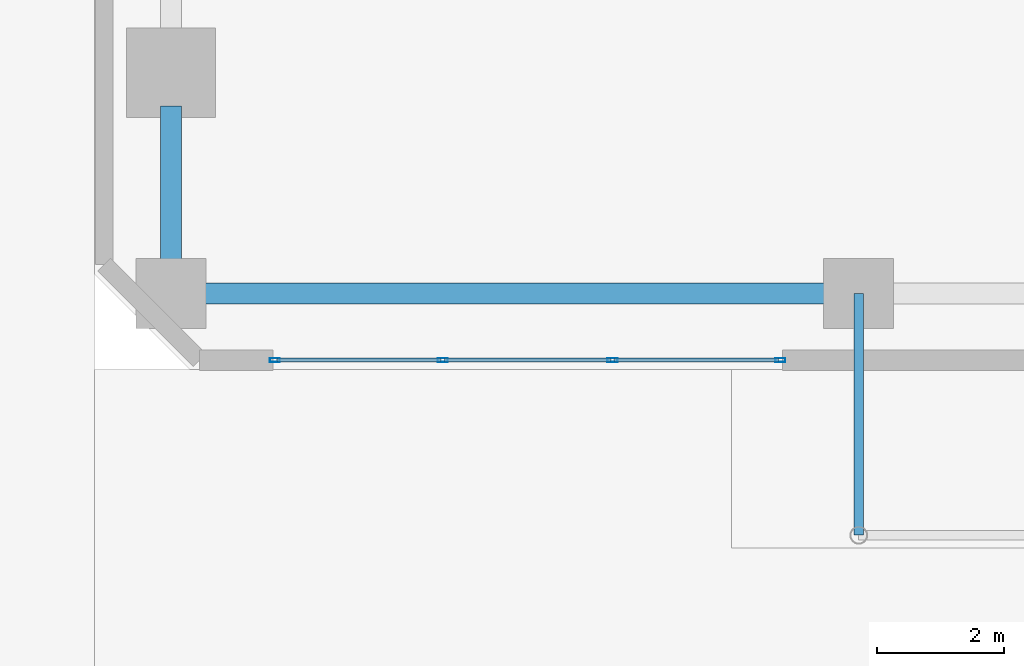
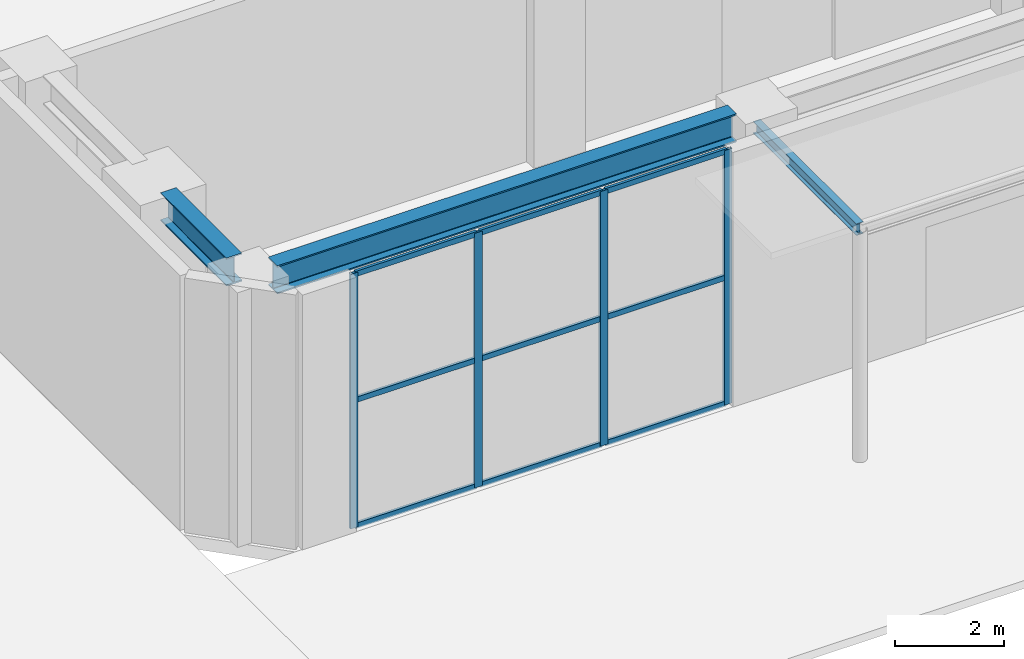
# One storey, part 11 of 49: 13 members, 3 beams, 1 element without a shape of its own.
"""IFC4 building model written with IfcOpenShell, lengths in metres."""

from ifc_helpers import new_model, si_unit, direction, frame, origin, origin_2d, place, context, subcontext, project, spatial, hollow_rectangle, i_section, extrude, material, layer, layer_set, material_profile, profile_set, type_object, element, aggregate, save


model = new_model("IFC4")

# Units and contexts
model_context = context("Model", 3, precision=1e-05, world=origin(), true_north=direction((0.0, 1.0)))
body_context = subcontext(model_context, "Body", "Model", "MODEL_VIEW")
ifc_project = project(units=[si_unit("LENGTHUNIT", "METRE"), si_unit("AREAUNIT", "SQUARE_METRE"), si_unit("VOLUMEUNIT", "CUBIC_METRE"), si_unit("PLANEANGLEUNIT", "RADIAN"), si_unit("MASSUNIT", "GRAM", prefix="KILO")], contexts=[model_context])

# Site, building, storey
site_placement = place(None, origin())
site = spatial("IfcSite", under=ifc_project, at=site_placement, CompositionType="ELEMENT")
building_placement = place(site_placement, origin())
building = spatial("IfcBuilding", under=site, at=building_placement, Name="Sarneth Arch Tower", CompositionType="ELEMENT")
storey_placement = place(building_placement, origin())
storey = spatial("IfcBuildingStorey", under=building, at=storey_placement, Name="L00", CompositionType="ELEMENT", Elevation=0.0)

# Beams
ifc_material_1 = material(Name="Steel S355", Category="steel")
ifc_material_profile_1 = material_profile(ifc_material_1, i_section(OverallWidth=0.14794921875, OverallDepth=0.26611328125, WebThickness=0.007568359375, FlangeThickness=0.012939453125, FilletRadius=0.012939453125, at=origin_2d()), Name="W250x44.8")
ifc_profile_set_1 = profile_set([ifc_material_profile_1], Name="Steel S355")
beam_type_1 = type_object("IfcBeamType", Name="BM-JOIST-250", PredefinedType="JOIST", material=ifc_profile_set_1)
beam_1_placement = place(storey_placement, frame((20.0, 9.199951171875, 5.159912109375), z_axis=(0.0, -1.0, 0.0), x_axis=(1.0, 0.0, 0.0)))
element("IfcBeam", 1, at=beam_1_placement, inside=storey, type_object=beam_type_1, Name="Entrance canopy outrigger beam SOUTH-W.1", PredefinedType="JOIST", context=body_context, shape_type="SweptSolid", body=[
    extrude(i_section(OverallWidth=0.14794921875, OverallDepth=0.26611328125, WebThickness=0.007568359375, FlangeThickness=0.012939453125, FilletRadius=0.012939453125, at=origin_2d()), origin(), (0.0, 0.0, 1.0), 3.800048828125),
])
ifc_material_2 = material(Name="Steel S355", Category="steel")
ifc_material_profile_2 = material_profile(ifc_material_2, i_section(OverallWidth=0.3291015625, OverallDepth=0.635009765625, WebThickness=0.017822265625, FlangeThickness=0.031005859375, FilletRadius=0.01904296875, at=origin_2d()), Name="W610x241")
ifc_profile_set_2 = profile_set([ifc_material_profile_2], Name="Steel S355")
beam_type_2 = type_object("IfcBeamType", Name="BM-POD-610", PredefinedType="BEAM", material=ifc_profile_set_2)
beam_2_placement = place(storey_placement, frame((9.719970703125, 9.199951171875, 5.402587890625), z_axis=(1.0, 0.0, 0.0), x_axis=(0.0, 1.0, 0.0)))
element("IfcBeam", 2, at=beam_2_placement, inside=storey, type_object=beam_type_2, Name="L00 Podium PS girder 1", PredefinedType="BEAM", context=body_context, shape_type="SweptSolid", body=[
    extrude(i_section(OverallWidth=0.3291015625, OverallDepth=0.635009765625, WebThickness=0.017822265625, FlangeThickness=0.031005859375, FilletRadius=0.01904296875, at=origin_2d()), origin(), (0.0, 0.0, 1.0), 9.760009765625),
])
beam_3_placement = place(storey_placement, frame((9.199951171875, 9.719970703125, 5.402587890625), z_axis=(0.0, 1.0, 0.0), x_axis=(-1.0, 0.0, 0.0)))
element("IfcBeam", 3, at=beam_3_placement, inside=storey, type_object=beam_type_2, Name="L00 Podium PW girder 1", PredefinedType="BEAM", context=body_context, shape_type="SweptSolid", body=[
    extrude(i_section(OverallWidth=0.3291015625, OverallDepth=0.635009765625, WebThickness=0.017822265625, FlangeThickness=0.031005859375, FilletRadius=0.01904296875, at=origin_2d()), origin(), (0.0, 0.0, 1.0), 2.42333984375),
])

# Curtain wall, members
ifc_material_3 = material(Name="Anodised aluminium Type AA25 and solar-control low-e laminated IGU", Category="aluminium")
ifc_layer = layer(ifc_material_3, 0.199951171875)
ifc_layer_set = layer_set([ifc_layer], Name="Anodised aluminium Type AA25 and solar-control low-e laminated IGU")
curtain_wall_type = type_object("IfcCurtainWallType", Name="CW-ARCH-GLAZE", PredefinedType="NOTDEFINED", material=ifc_layer_set)
curtain_wall_placement = place(storey_placement, origin())
curtain_wall = element("IfcCurtainWall", 4, at=curtain_wall_placement, inside=storey, type_object=curtain_wall_type, Name="L00 Podium bay curtain wall SW", PredefinedType="NOTDEFINED")
ifc_material_4 = material(Name="Anodised Aluminium 6063-T6", Category="aluminium")
ifc_material_profile_3 = material_profile(ifc_material_4, hollow_rectangle(XDim=0.06005859375, YDim=0.159912109375, WallThickness=0.00390625, at=origin_2d()), Name="AL-MULL-160x60x4")
ifc_profile_set_3 = profile_set([ifc_material_profile_3], Name="Anodised Aluminium 6063-T6")
member_type_1 = type_object("IfcMemberType", Name="CW-MULLION", PredefinedType="MULLION", material=ifc_profile_set_3)
member_1_placement = place(storey_placement, frame((10.830078125, 8.14990234375, 0.0), z_axis=(0.0, 0.0, 1.0), x_axis=(0.0, 1.0, 0.0)))
member_1 = element("IfcMember", 5, at=member_1_placement, type_object=member_type_1, Name="CW-SYS-2 mullion 1", PredefinedType="MULLION", context=body_context, shape_type="SweptSolid", body=[
    extrude(hollow_rectangle(XDim=0.06005859375, YDim=0.159912109375, WallThickness=0.00390625, at=origin_2d()), origin(), (0.0, 0.0, 1.0), 5.719970703125),
])
member_2_placement = place(storey_placement, frame((13.466552734375, 8.14990234375, 0.0), z_axis=(0.0, 0.0, 1.0), x_axis=(0.0, 1.0, 0.0)))
member_2 = element("IfcMember", 6, at=member_2_placement, type_object=member_type_1, Name="CW-SYS-2 mullion 2", PredefinedType="MULLION", context=body_context, shape_type="SweptSolid", body=[
    extrude(hollow_rectangle(XDim=0.06005859375, YDim=0.159912109375, WallThickness=0.00390625, at=origin_2d()), origin(), (0.0, 0.0, 1.0), 5.719970703125),
])
member_3_placement = place(storey_placement, frame((16.13330078125, 8.14990234375, 0.0), z_axis=(0.0, 0.0, 1.0), x_axis=(0.0, 1.0, 0.0)))
member_3 = element("IfcMember", 7, at=member_3_placement, type_object=member_type_1, Name="CW-SYS-2 mullion 3", PredefinedType="MULLION", context=body_context, shape_type="SweptSolid", body=[
    extrude(hollow_rectangle(XDim=0.06005859375, YDim=0.159912109375, WallThickness=0.00390625, at=origin_2d()), origin(), (0.0, 0.0, 1.0), 5.719970703125),
])
member_4_placement = place(storey_placement, frame((18.77001953125, 8.14990234375, 0.0), z_axis=(0.0, 0.0, 1.0), x_axis=(0.0, 1.0, 0.0)))
member_4 = element("IfcMember", 8, at=member_4_placement, type_object=member_type_1, Name="CW-SYS-2 mullion 4", PredefinedType="MULLION", context=body_context, shape_type="SweptSolid", body=[
    extrude(hollow_rectangle(XDim=0.06005859375, YDim=0.159912109375, WallThickness=0.00390625, at=origin_2d()), origin(), (0.0, 0.0, 1.0), 5.719970703125),
])
ifc_material_5 = material(Name="Anodised Aluminium 6063-T6", Category="aluminium")
ifc_material_profile_4 = material_profile(ifc_material_5, hollow_rectangle(XDim=0.06005859375, YDim=0.1201171875, WallThickness=0.00390625, at=origin_2d()), Name="AL-TRAN-120x60x4")
ifc_profile_set_4 = profile_set([ifc_material_profile_4], Name="Anodised Aluminium 6063-T6")
member_type_2 = type_object("IfcMemberType", Name="CW-TRANSOM", PredefinedType="USERDEFINED", material=ifc_profile_set_4)
member_5_placement = place(storey_placement, frame((10.860107421875, 8.14990234375, 0.030029296875), z_axis=(1.0, 0.0, 0.0), x_axis=(0.0, 1.0, 0.0)))
member_5 = element("IfcMember", 9, at=member_5_placement, type_object=member_type_2, Name="CW-SYS-2 transom 1.1", ObjectType="TRANSOM", PredefinedType="USERDEFINED", context=body_context, shape_type="SweptSolid", body=[
    extrude(hollow_rectangle(XDim=0.06005859375, YDim=0.1201171875, WallThickness=0.00390625, at=origin_2d()), origin(), (0.0, 0.0, 1.0), 2.57666015625),
])
member_6_placement = place(storey_placement, frame((10.860107421875, 8.14990234375, 2.860107421875), z_axis=(1.0, 0.0, 0.0), x_axis=(0.0, 1.0, 0.0)))
member_6 = element("IfcMember", 10, at=member_6_placement, type_object=member_type_2, Name="CW-SYS-2 transom 1.2", ObjectType="TRANSOM", PredefinedType="USERDEFINED", context=body_context, shape_type="SweptSolid", body=[
    extrude(hollow_rectangle(XDim=0.06005859375, YDim=0.1201171875, WallThickness=0.00390625, at=origin_2d()), origin(), (0.0, 0.0, 1.0), 2.57666015625),
])
member_7_placement = place(storey_placement, frame((10.860107421875, 8.14990234375, 5.68994140625), z_axis=(1.0, 0.0, 0.0), x_axis=(0.0, 1.0, 0.0)))
member_7 = element("IfcMember", 11, at=member_7_placement, type_object=member_type_2, Name="CW-SYS-2 transom 1.3", ObjectType="TRANSOM", PredefinedType="USERDEFINED", context=body_context, shape_type="SweptSolid", body=[
    extrude(hollow_rectangle(XDim=0.06005859375, YDim=0.1201171875, WallThickness=0.00390625, at=origin_2d()), origin(), (0.0, 0.0, 1.0), 2.57666015625),
])
member_8_placement = place(storey_placement, frame((13.49658203125, 8.14990234375, 0.030029296875), z_axis=(1.0, 0.0, 0.0), x_axis=(0.0, 1.0, 0.0)))
member_8 = element("IfcMember", 12, at=member_8_placement, type_object=member_type_2, Name="CW-SYS-2 transom 2.1", ObjectType="TRANSOM", PredefinedType="USERDEFINED", context=body_context, shape_type="SweptSolid", body=[
    extrude(hollow_rectangle(XDim=0.06005859375, YDim=0.1201171875, WallThickness=0.00390625, at=origin_2d()), origin(), (0.0, 0.0, 1.0), 2.606689453125),
])
member_9_placement = place(storey_placement, frame((13.49658203125, 8.14990234375, 2.860107421875), z_axis=(1.0, 0.0, 0.0), x_axis=(0.0, 1.0, 0.0)))
member_9 = element("IfcMember", 13, at=member_9_placement, type_object=member_type_2, Name="CW-SYS-2 transom 2.2", ObjectType="TRANSOM", PredefinedType="USERDEFINED", context=body_context, shape_type="SweptSolid", body=[
    extrude(hollow_rectangle(XDim=0.06005859375, YDim=0.1201171875, WallThickness=0.00390625, at=origin_2d()), origin(), (0.0, 0.0, 1.0), 2.606689453125),
])
member_10_placement = place(storey_placement, frame((13.49658203125, 8.14990234375, 5.68994140625), z_axis=(1.0, 0.0, 0.0), x_axis=(0.0, 1.0, 0.0)))
member_10 = element("IfcMember", 14, at=member_10_placement, type_object=member_type_2, Name="CW-SYS-2 transom 2.3", ObjectType="TRANSOM", PredefinedType="USERDEFINED", context=body_context, shape_type="SweptSolid", body=[
    extrude(hollow_rectangle(XDim=0.06005859375, YDim=0.1201171875, WallThickness=0.00390625, at=origin_2d()), origin(), (0.0, 0.0, 1.0), 2.606689453125),
])
member_11_placement = place(storey_placement, frame((16.163330078125, 8.14990234375, 0.030029296875), z_axis=(1.0, 0.0, 0.0), x_axis=(0.0, 1.0, 0.0)))
member_11 = element("IfcMember", 15, at=member_11_placement, type_object=member_type_2, Name="CW-SYS-2 transom 3.1", ObjectType="TRANSOM", PredefinedType="USERDEFINED", context=body_context, shape_type="SweptSolid", body=[
    extrude(hollow_rectangle(XDim=0.06005859375, YDim=0.1201171875, WallThickness=0.00390625, at=origin_2d()), origin(), (0.0, 0.0, 1.0), 2.57666015625),
])
member_12_placement = place(storey_placement, frame((16.163330078125, 8.14990234375, 2.860107421875), z_axis=(1.0, 0.0, 0.0), x_axis=(0.0, 1.0, 0.0)))
member_12 = element("IfcMember", 16, at=member_12_placement, type_object=member_type_2, Name="CW-SYS-2 transom 3.2", ObjectType="TRANSOM", PredefinedType="USERDEFINED", context=body_context, shape_type="SweptSolid", body=[
    extrude(hollow_rectangle(XDim=0.06005859375, YDim=0.1201171875, WallThickness=0.00390625, at=origin_2d()), origin(), (0.0, 0.0, 1.0), 2.57666015625),
])
member_13_placement = place(storey_placement, frame((16.163330078125, 8.14990234375, 5.68994140625), z_axis=(1.0, 0.0, 0.0), x_axis=(0.0, 1.0, 0.0)))
member_13 = element("IfcMember", 17, at=member_13_placement, type_object=member_type_2, Name="CW-SYS-2 transom 3.3", ObjectType="TRANSOM", PredefinedType="USERDEFINED", context=body_context, shape_type="SweptSolid", body=[
    extrude(hollow_rectangle(XDim=0.06005859375, YDim=0.1201171875, WallThickness=0.00390625, at=origin_2d()), origin(), (0.0, 0.0, 1.0), 2.57666015625),
])
aggregate(curtain_wall, [member_1, member_2, member_3, member_4, member_5, member_6, member_7, member_8, member_9, member_10, member_11, member_12, member_13])

save(model, "model.ifc")
